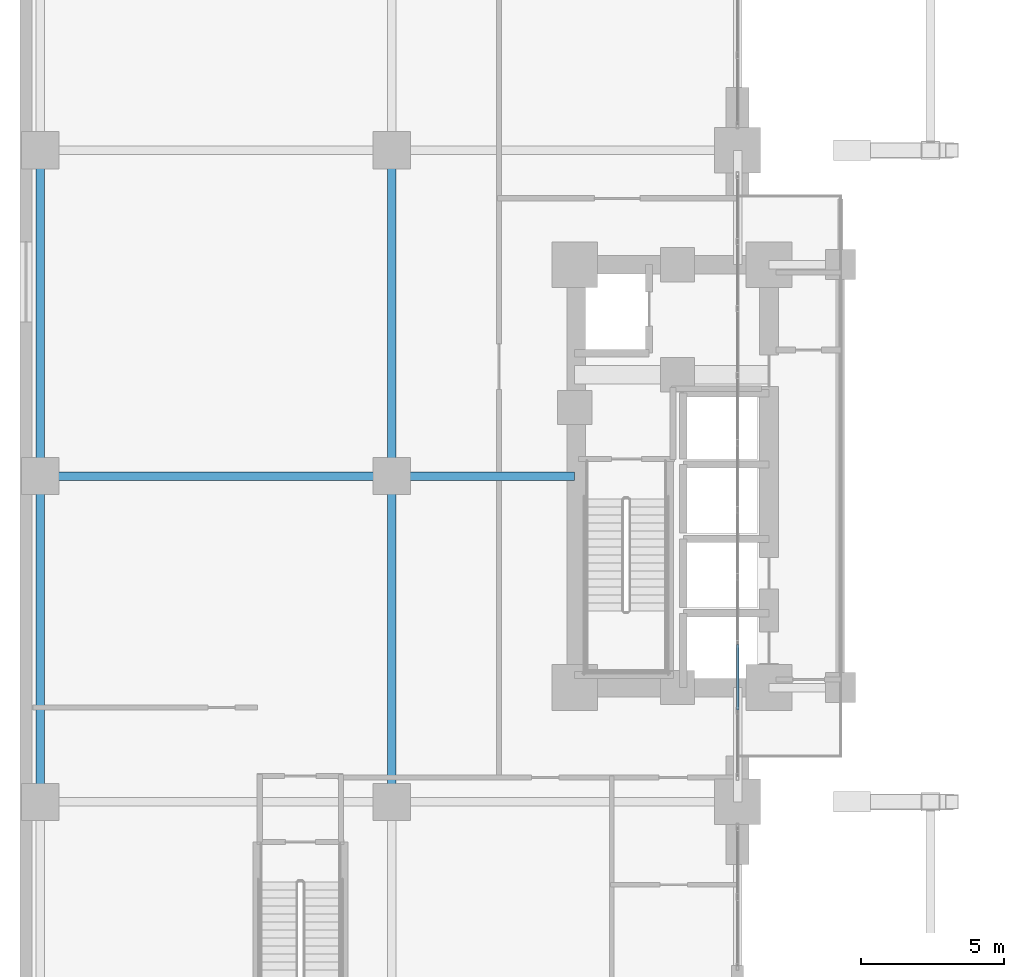
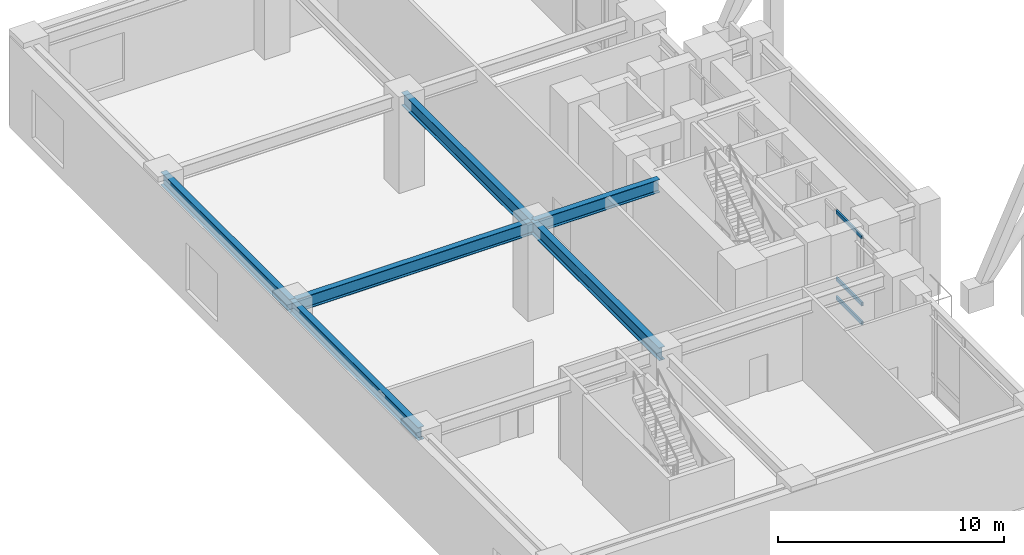
# One storey, part 4 of 26: 6 beams, 3 members, 1 element without a shape of its own.
"""IFC4 building model written with IfcOpenShell, lengths in metres."""

from ifc_helpers import new_model, si_unit, direction, frame, origin, origin_2d, place, context, subcontext, project, spatial, hollow_rectangle, i_section, extrude, material, layer, layer_set, material_profile, profile_set, type_object, element, aggregate, save


model = new_model("IFC4")

# Units and contexts
model_context = context("Model", 3, precision=1e-05, world=origin(), true_north=direction((0.0, 1.0)))
body_context = subcontext(model_context, "Body", "Model", "MODEL_VIEW")
ifc_project = project(units=[si_unit("LENGTHUNIT", "METRE"), si_unit("AREAUNIT", "SQUARE_METRE"), si_unit("VOLUMEUNIT", "CUBIC_METRE"), si_unit("PLANEANGLEUNIT", "RADIAN"), si_unit("MASSUNIT", "GRAM", prefix="KILO")], contexts=[model_context])

# Site, building, storey
site_placement = place(None, origin())
site = spatial("IfcSite", under=ifc_project, at=site_placement, CompositionType="ELEMENT")
building_placement = place(site_placement, origin())
building = spatial("IfcBuilding", under=site, at=building_placement, Name="Voryun Gate Residences", CompositionType="ELEMENT")
storey_placement = place(building_placement, frame((0.0, 0.0, 10.39990234375)))
storey = spatial("IfcBuildingStorey", under=building, at=storey_placement, Name="L02", CompositionType="ELEMENT", Elevation=10.39990234375)

# Beams
ifc_material_1 = material(Name="Steel SM355", Category="steel")
ifc_material_profile_1 = material_profile(ifc_material_1, i_section(OverallWidth=0.300048828125, OverallDepth=0.699951171875, WebThickness=0.012939453125, FlangeThickness=0.02392578125, FilletRadius=0.01806640625, at=origin_2d()), Name="H-700x300x13x24")
ifc_profile_set_1 = profile_set([ifc_material_profile_1], Name="Steel SM355")
beam_type = type_object("IfcBeamType", Name="BM_GIRD_700", PredefinedType="USERDEFINED", material=ifc_profile_set_1)
beam_1_placement = place(storey_placement, frame((-37.89990234375, 0.0, 4.570068359375), z_axis=(1.0, 0.0, 0.0), x_axis=(0.0, 1.0, 0.0)))
element("IfcBeam", 1, at=beam_1_placement, inside=storey, type_object=beam_type, Name="BM-L02-PWX-+0.0-0", ObjectType="GIRDER", PredefinedType="USERDEFINED", context=body_context, shape_type="SweptSolid", body=[
    extrude(i_section(OverallWidth=0.300048828125, OverallDepth=0.699951171875, WebThickness=0.012939453125, FlangeThickness=0.02392578125, FilletRadius=0.01806640625, at=origin_2d()), origin(), (0.0, 0.0, 1.0), 12.2998046875),
])
beam_2_placement = place(storey_placement, frame((-25.60009765625, 0.0, 4.570068359375), z_axis=(1.0, 0.0, 0.0), x_axis=(0.0, 1.0, 0.0)))
element("IfcBeam", 2, at=beam_2_placement, inside=storey, type_object=beam_type, Name="BM-L02-PWX-+0.0-1", ObjectType="GIRDER", PredefinedType="USERDEFINED", context=body_context, shape_type="SweptSolid", body=[
    extrude(i_section(OverallWidth=0.300048828125, OverallDepth=0.699951171875, WebThickness=0.012939453125, FlangeThickness=0.02392578125, FilletRadius=0.01806640625, at=origin_2d()), origin(), (0.0, 0.0, 1.0), 6.400146484375),
])
for number, where, z_axis, x_axis, name in (
    (3, (-37.89990234375, -11.39990234375, 4.570068359375), (0.0, 1.0, 0.0), (-1.0, 0.0, 0.0), "BM-L02-PWY--37.9-1"),
    (4, (-37.89990234375, 0.0, 4.570068359375), (0.0, 1.0, 0.0), (-1.0, 0.0, 0.0), "BM-L02-PWY--37.9-2"),
    (5, (-25.60009765625, -11.39990234375, 4.570068359375), (0.0, 1.0, 0.0), (-1.0, 0.0, 0.0), "BM-L02-PWY--25.6-1"),
    (6, (-25.60009765625, 0.0, 4.570068359375), (0.0, 1.0, 0.0), (-1.0, 0.0, 0.0), "BM-L02-PWY--25.6-2"),
):
    element("IfcBeam", number, at=place(storey_placement, frame(where, z_axis=z_axis, x_axis=x_axis)), inside=storey, type_object=beam_type, Name=name, ObjectType="GIRDER", PredefinedType="USERDEFINED", context=body_context, shape_type="SweptSolid", body=[
        extrude(i_section(OverallWidth=0.300048828125, OverallDepth=0.699951171875, WebThickness=0.012939453125, FlangeThickness=0.02392578125, FilletRadius=0.01806640625, at=origin_2d()), origin(), (0.0, 0.0, 1.0), 11.39990234375),
    ])

# Curtain wall, members
ifc_material_2 = material(Name="Anodised aluminium", Category="aluminium")
ifc_layer = layer(ifc_material_2, 0.239990234375, Name="CW_SYS_ARCH_DARK_GLASS")
ifc_layer_set = layer_set([ifc_layer], Name="Anodised aluminium")
curtain_wall_type = type_object("IfcCurtainWallType", Name="CW_SYS_ARCH_DARK_GLASS", PredefinedType="NOTDEFINED", material=ifc_layer_set)
curtain_wall_placement = place(storey_placement, origin())
curtain_wall = element("IfcCurtainWall", 7, at=curtain_wall_placement, inside=storey, type_object=curtain_wall_type, Name="Curtain wall CW2-L02-WP-M", PredefinedType="NOTDEFINED")
ifc_material_3 = material(Name="Anodised aluminium", Category="aluminium")
ifc_material_profile_2 = material_profile(ifc_material_3, hollow_rectangle(XDim=0.090087890625, YDim=0.199951171875, WallThickness=0.006103515625, at=origin_2d()), Name="ALU-TRAN-200x90x6")
ifc_profile_set_2 = profile_set([ifc_material_profile_2], Name="Anodised aluminium")
member_type = type_object("IfcMemberType", Name="CW_TRAN_ARCH", PredefinedType="USERDEFINED", material=ifc_profile_set_2)
member_1_placement = place(storey_placement, frame((-13.5, -8.179443359375, 0.030029296875), z_axis=(0.0, 1.0, 0.0), x_axis=(-1.0, 0.0, 0.0)))
member_1 = element("IfcMember", 8, at=member_1_placement, type_object=member_type, Name="CW2 transom 2.1", ObjectType="TRANSOM", PredefinedType="USERDEFINED", context=body_context, shape_type="SweptSolid", body=[
    extrude(hollow_rectangle(XDim=0.090087890625, YDim=0.199951171875, WallThickness=0.006103515625, at=origin_2d()), origin(), (0.0, 0.0, 1.0), 2.28564453125),
])
member_2_placement = place(storey_placement, frame((-13.5, -8.179443359375, 1.050048828125), z_axis=(0.0, 1.0, 0.0), x_axis=(-1.0, 0.0, 0.0)))
member_2 = element("IfcMember", 9, at=member_2_placement, type_object=member_type, Name="CW2 transom 2.2", ObjectType="TRANSOM", PredefinedType="USERDEFINED", context=body_context, shape_type="SweptSolid", body=[
    extrude(hollow_rectangle(XDim=0.090087890625, YDim=0.199951171875, WallThickness=0.006103515625, at=origin_2d()), origin(), (0.0, 0.0, 1.0), 2.28564453125),
])
member_3_placement = place(storey_placement, frame((-13.5, -8.179443359375, 4.670166015625), z_axis=(0.0, 1.0, 0.0), x_axis=(-1.0, 0.0, 0.0)))
member_3 = element("IfcMember", 10, at=member_3_placement, type_object=member_type, Name="CW2 transom 2.3", ObjectType="TRANSOM", PredefinedType="USERDEFINED", context=body_context, shape_type="SweptSolid", body=[
    extrude(hollow_rectangle(XDim=0.090087890625, YDim=0.199951171875, WallThickness=0.006103515625, at=origin_2d()), origin(), (0.0, 0.0, 1.0), 2.28564453125),
])
aggregate(curtain_wall, [member_1, member_2, member_3])

save(model, "model.ifc")
